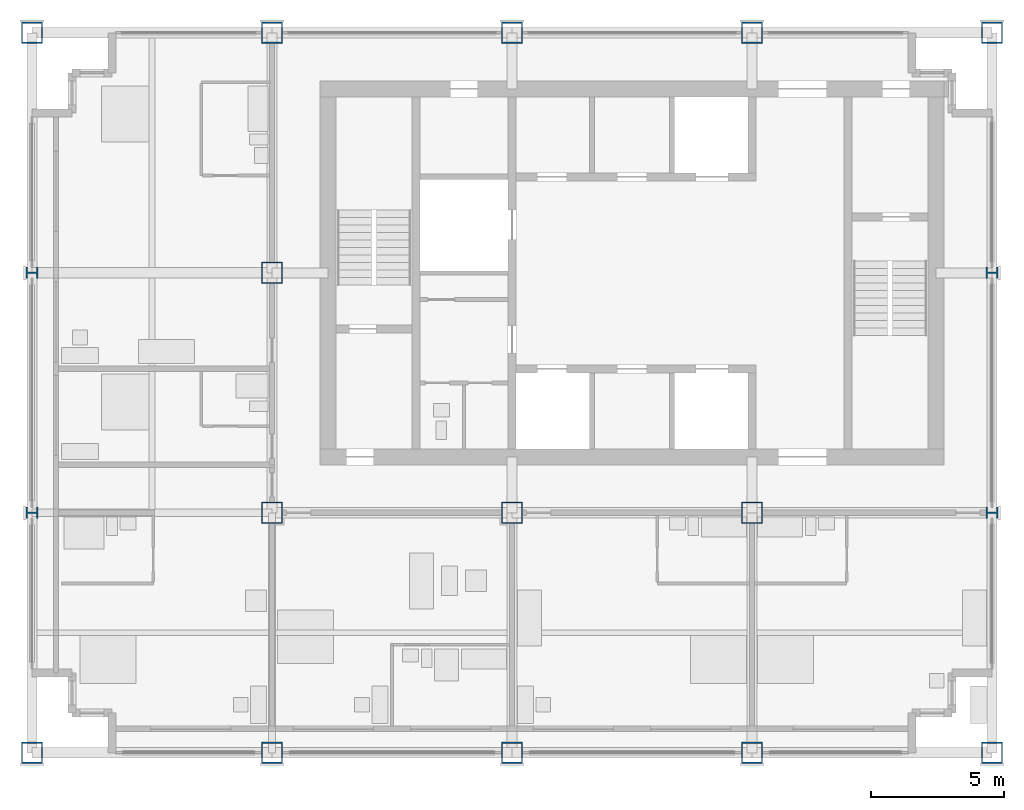
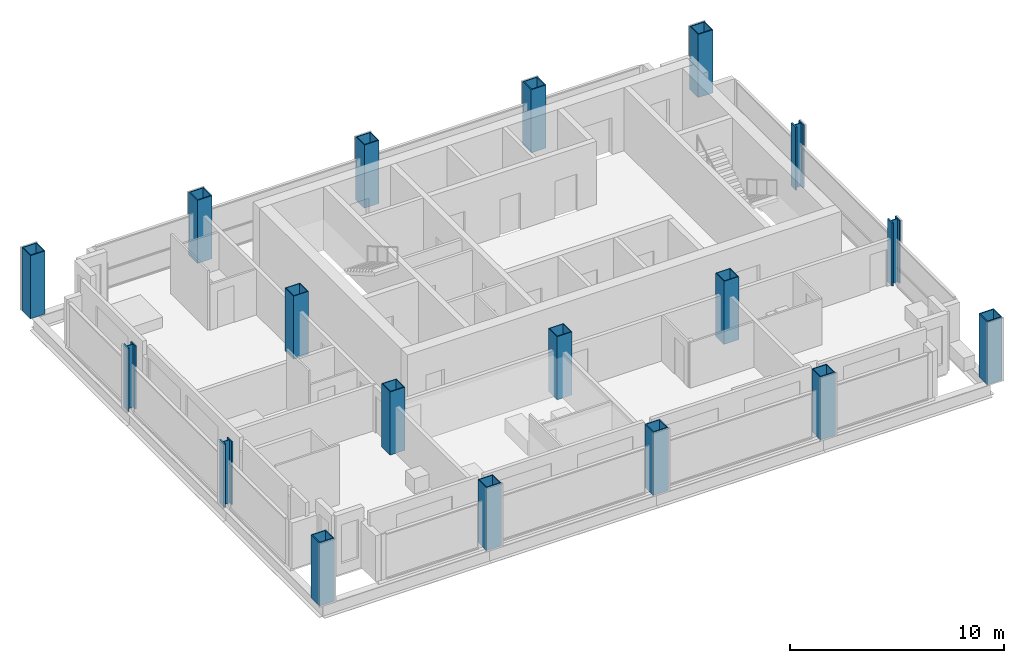
# One storey, part 1 of 11: 18 columns.
"""IFC4 building model written with IfcOpenShell, lengths in metres."""

from ifc_helpers import new_model, si_unit, direction, frame, origin, origin_2d, place, context, subcontext, project, spatial, hollow_rectangle, i_section, extrude, material, material_profile, profile_set, type_object, element, save


model = new_model("IFC4")

# Units and contexts
model_context = context("Model", 3, precision=1e-05, world=origin(), true_north=direction((0.0, 1.0)))
body_context = subcontext(model_context, "Body", "Model", "MODEL_VIEW")
ifc_project = project(units=[si_unit("LENGTHUNIT", "METRE"), si_unit("AREAUNIT", "SQUARE_METRE"), si_unit("VOLUMEUNIT", "CUBIC_METRE"), si_unit("PLANEANGLEUNIT", "RADIAN"), si_unit("MASSUNIT", "GRAM", prefix="KILO")], contexts=[model_context])

# Site, building, storey
site_placement = place(None, origin())
site = spatial("IfcSite", under=ifc_project, at=site_placement, CompositionType="ELEMENT")
building_placement = place(site_placement, origin())
building = spatial("IfcBuilding", under=site, at=building_placement, Name="Loomwork Tower", CompositionType="ELEMENT")
storey_placement = place(building_placement, frame((0.0, 0.0, 241.0)))
storey = spatial("IfcBuildingStorey", under=building, at=storey_placement, Name="L66", CompositionType="ELEMENT", Elevation=241.0)

# Columns
ifc_material_1 = material(Name="Steel ASTM A572 Grade 50 plate", Category="steel")
ifc_material_profile_1 = material_profile(ifc_material_1, hollow_rectangle(XDim=0.800048828125, YDim=0.800048828125, WallThickness=0.050048828125, at=origin_2d()), Name="BOX800x50")
ifc_profile_set_1 = profile_set([ifc_material_profile_1], Name="Steel ASTM A572 Grade 50 plate")
column_type_1 = type_object("IfcColumnType", Name="EXOSKELETON PIER BOX800x50", PredefinedType="COLUMN", material=ifc_profile_set_1)
for number, where, z_axis, x_axis, name in (
    (1, (0.0, 0.0, 0.0), (0.0, 0.0, 1.0), (1.0, 0.0, 0.0), "Exoskeleton Pier D/2 L66"),
    (2, (0.0, 27.0, 0.0), (0.0, 0.0, 1.0), (0.0, 1.0, 0.0), "Exoskeleton Pier G/2 L66"),
    (3, (9.0, 0.0, 0.0), (0.0, 0.0, 1.0), (1.0, 0.0, 0.0), "Exoskeleton Pier D/3 L66"),
    (4, (9.0, 27.0, 0.0), (0.0, 0.0, 1.0), (1.0, 0.0, 0.0), "Exoskeleton Pier G/3 L66"),
    (5, (18.0, 0.0, 0.0), (0.0, 0.0, 1.0), (1.0, 0.0, 0.0), "Exoskeleton Pier D/4 L66"),
    (6, (18.0, 27.0, 0.0), (0.0, 0.0, 1.0), (1.0, 0.0, 0.0), "Exoskeleton Pier G/4 L66"),
    (7, (27.0, 0.0, 0.0), (0.0, 0.0, 1.0), (1.0, 0.0, 0.0), "Exoskeleton Pier D/5 L66"),
    (8, (27.0, 27.0, 0.0), (0.0, 0.0, 1.0), (1.0, 0.0, 0.0), "Exoskeleton Pier G/5 L66"),
    (9, (36.0, 0.0, 0.0), (0.0, 0.0, 1.0), (1.0, 0.0, 0.0), "Exoskeleton Pier D/6 L66"),
    (10, (36.0, 27.0, 0.0), (0.0, 0.0, 1.0), (1.0, 0.0, 0.0), "Exoskeleton Pier G/6 L66"),
):
    element("IfcColumn", number, at=place(storey_placement, frame(where, z_axis=z_axis, x_axis=x_axis)), inside=storey, type_object=column_type_1, Name=name, PredefinedType="COLUMN", context=body_context, shape_type="SweptSolid", body=[
        extrude(hollow_rectangle(XDim=0.800048828125, YDim=0.800048828125, WallThickness=0.050048828125, at=origin_2d()), origin(), (0.0, 0.0, 1.0), 3.60009765625),
    ])
ifc_material_2 = material(Name="Steel ASTM A992", Category="steel")
ifc_material_profile_2 = material_profile(ifc_material_2, i_section(OverallWidth=0.421630859375, OverallDepth=0.46484375, WebThickness=0.044921875, FlangeThickness=0.072509765625, at=origin_2d()), Name="W14x398")
ifc_profile_set_2 = profile_set([ifc_material_profile_2], Name="Steel ASTM A992")
column_type_2 = type_object("IfcColumnType", Name="EXOSKELETON PIER W14x398", PredefinedType="COLUMN", material=ifc_profile_set_2)
for number, where, z_axis, x_axis, name in (
    (11, (0.0, 9.0, 0.0), (0.0, 0.0, 1.0), (0.0, 1.0, 0.0), "Exoskeleton Pier E/2 L66"),
    (12, (0.0, 18.0, 0.0), (0.0, 0.0, 1.0), (0.0, 1.0, 0.0), "Exoskeleton Pier F/2 L66"),
    (13, (36.0, 9.0, 0.0), (0.0, 0.0, 1.0), (0.0, 1.0, 0.0), "Exoskeleton Pier E/6 L66"),
    (14, (36.0, 18.0, 0.0), (0.0, 0.0, 1.0), (0.0, 1.0, 0.0), "Exoskeleton Pier F/6 L66"),
):
    element("IfcColumn", number, at=place(storey_placement, frame(where, z_axis=z_axis, x_axis=x_axis)), inside=storey, type_object=column_type_2, Name=name, PredefinedType="COLUMN", context=body_context, shape_type="SweptSolid", body=[
        extrude(i_section(OverallWidth=0.421630859375, OverallDepth=0.46484375, WebThickness=0.044921875, FlangeThickness=0.072509765625, at=origin_2d()), origin(), (0.0, 0.0, 1.0), 3.60009765625),
    ])
ifc_material_3 = material(Name="Steel ASTM A572 Grade 50 plate", Category="steel")
ifc_material_profile_3 = material_profile(ifc_material_3, hollow_rectangle(XDim=0.800048828125, YDim=0.800048828125, WallThickness=0.0400390625, at=origin_2d()), Name="BOX800x40")
ifc_profile_set_3 = profile_set([ifc_material_profile_3], Name="Steel ASTM A572 Grade 50 plate")
column_type_3 = type_object("IfcColumnType", Name="TOWER COLUMN BOX800x40", PredefinedType="COLUMN", material=ifc_profile_set_3)
for number, where, z_axis, x_axis, name in (
    (15, (9.0, 9.0, 0.0), (0.0, 0.0, 1.0), (1.0, 0.0, 0.0), "Tower Column E/3 L66"),
    (16, (9.0, 18.0, 0.0), (0.0, 0.0, 1.0), (1.0, 0.0, 0.0), "Tower Column F/3 L66"),
    (17, (18.0, 9.0, 0.0), (0.0, 0.0, 1.0), (1.0, 0.0, 0.0), "Tower Column E/4 L66"),
    (18, (27.0, 9.0, 0.0), (0.0, 0.0, 1.0), (1.0, 0.0, 0.0), "Tower Column E/5 L66"),
):
    element("IfcColumn", number, at=place(storey_placement, frame(where, z_axis=z_axis, x_axis=x_axis)), inside=storey, type_object=column_type_3, Name=name, PredefinedType="COLUMN", context=body_context, shape_type="SweptSolid", body=[
        extrude(hollow_rectangle(XDim=0.800048828125, YDim=0.800048828125, WallThickness=0.0400390625, at=origin_2d()), origin(), (0.0, 0.0, 1.0), 3.60009765625),
    ])

save(model, "model.ifc")
